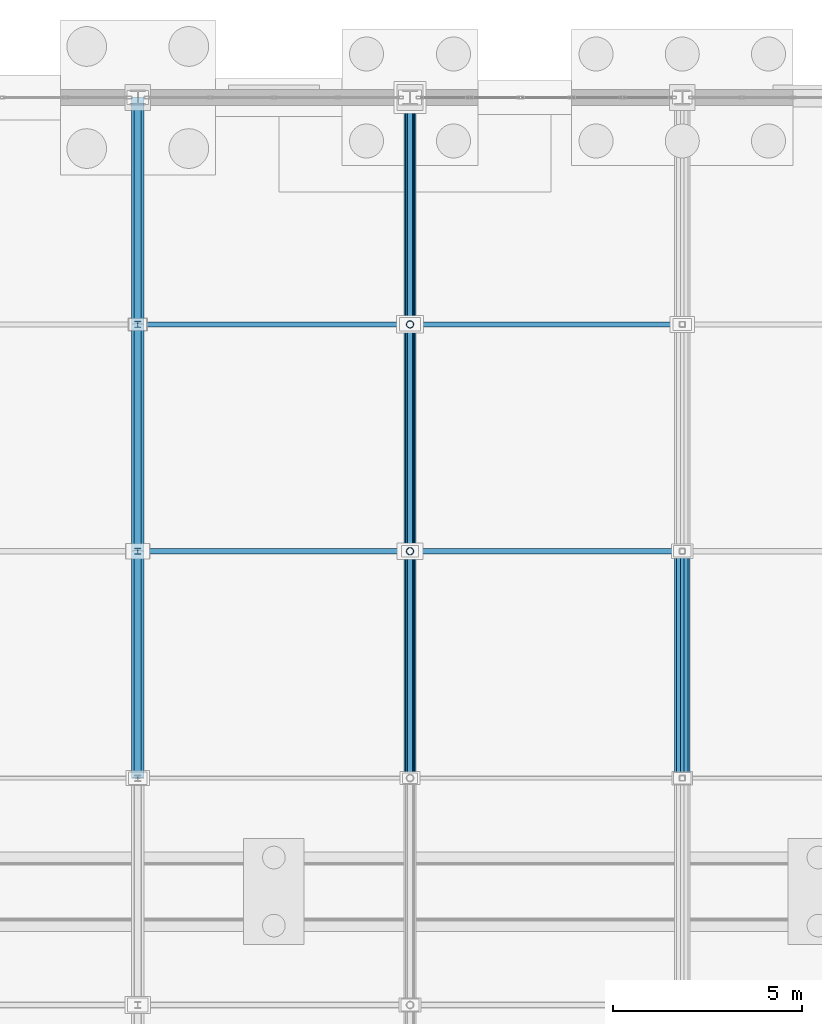
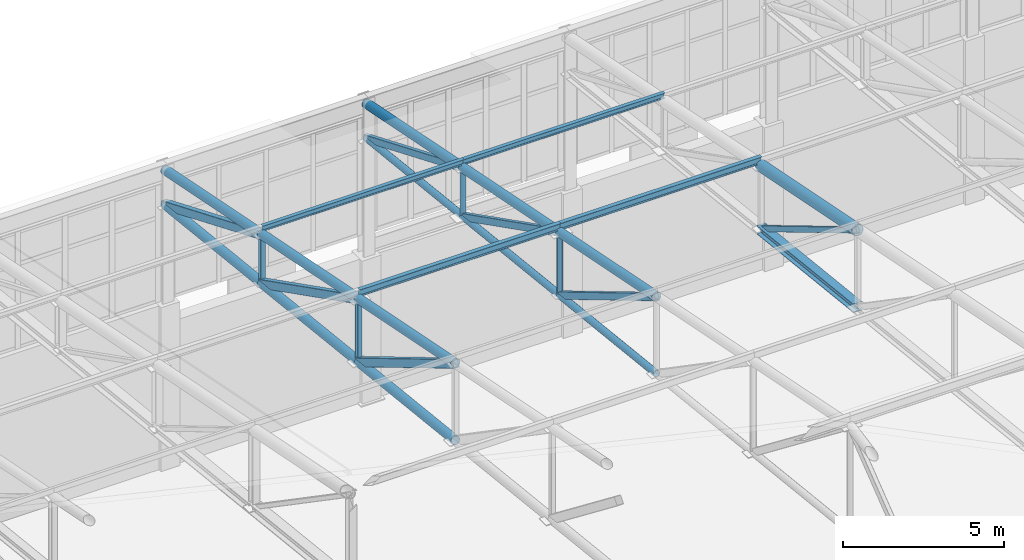
# One storey, part 205 of 293: 29 members.
"""IFC4 building model written with IfcOpenShell, lengths in metres."""

import ifcopenshell
import ifcopenshell.guid

model = None  # the IFC model being written
_history = None  # IfcOwnerHistory: only IFC2X3 demands one
_inside = {}  # id of a spatial element -> (the spatial element, [elements in it])
_under = {}  # id of a project, library or spatial element -> (it, [spatial elements below it])
_declared = {}  # id of a project -> (the project, [libraries it declares])
_typed = {}  # id of a type object -> (the type object, [elements of that type])
_made_of = {}  # id of a material, layer set ... -> (it, [elements and type objects made of it])


def new_model(schema):
    """Start an empty IFC model of exactly this schema.

    Asked for "IFC4X3", IfcOpenShell would pick the latest addendum, in which some entities
    have other attributes; the version numbers below select the first issue.
    IFC2X3 requires an IfcOwnerHistory on every rooted entity: one is made here for all.
    """
    global model, _history
    if schema == "IFC4X3":
        model = ifcopenshell.file(schema_version=(4, 3, 0, 0))
    else:
        model = ifcopenshell.file(schema=schema)
    _inside.clear()
    _under.clear()
    _declared.clear()
    _typed.clear()
    _made_of.clear()
    _history = None
    if model.schema == "IFC2X3":
        org = make("IfcOrganization", Name="unknown")
        user = make(
            "IfcPersonAndOrganization",
            ThePerson=make("IfcPerson", FamilyName="unknown"),
            TheOrganization=org,
        )
        app = make(
            "IfcApplication",
            ApplicationDeveloper=org,
            Version="unknown",
            ApplicationFullName="unknown",
            ApplicationIdentifier="unknown",
        )
        _history = make(
            "IfcOwnerHistory",
            OwningUser=user,
            OwningApplication=app,
            ChangeAction="ADDED",
            CreationDate=0,
        )
    return model


def make(cls, **values):
    """One entity of the class cls with the attributes given. An attribute that is None is left unset."""
    return model.create_entity(
        cls, **{name: value for name, value in values.items() if value is not None}
    )


def rooted(cls, **values):
    """An entity with a GlobalId (a new one), such as an element, a storey or a relation."""
    return make(cls, GlobalId=ifcopenshell.guid.new(), OwnerHistory=_history, **values)


def si_unit(unit_type, name, prefix=None):
    """IfcSIUnit, for example si_unit("LENGTHUNIT", "METRE", prefix="MILLI")."""
    return make("IfcSIUnit", UnitType=unit_type, Prefix=prefix, Name=name)


def assignment(units):
    """IfcUnitAssignment: the units of a project."""
    return None if units is None else make("IfcUnitAssignment", Units=units)


def point(xyz):
    """IfcCartesianPoint."""
    return None if xyz is None else make("IfcCartesianPoint", Coordinates=xyz)


def direction(xyz):
    """IfcDirection."""
    return None if xyz is None else make("IfcDirection", DirectionRatios=xyz)


def frame(location, z_axis=None, x_axis=None):
    """IfcAxis2Placement3D, a coordinate frame: its origin and axes. An axis left out is left unset."""
    return make(
        "IfcAxis2Placement3D",
        Location=point(location),
        Axis=direction(z_axis),
        RefDirection=direction(x_axis),
    )


def frame_2d(location, x_axis=None):
    """IfcAxis2Placement2D, a coordinate frame in the plane: its origin and x axis."""
    return make(
        "IfcAxis2Placement2D", Location=point(location), RefDirection=direction(x_axis)
    )


def origin():
    """The frame at (0, 0, 0) with its axes left unset."""
    return frame((0.0, 0.0, 0.0))


def origin_2d():
    """The frame at (0, 0) in the plane with its x axis left unset."""
    return frame_2d((0.0, 0.0))


def place(relative_to, where):
    """IfcLocalPlacement: puts the frame where relative to a parent placement (None: the world)."""
    return make(
        "IfcLocalPlacement", PlacementRelTo=relative_to, RelativePlacement=where
    )


def context(
    kind, dimensions, precision=None, world=None, true_north=None, identifier=None
):
    """IfcGeometricRepresentationContext, for example the 3D "Model" context."""
    return make(
        "IfcGeometricRepresentationContext",
        ContextIdentifier=identifier,
        ContextType=kind,
        CoordinateSpaceDimension=dimensions,
        Precision=precision,
        WorldCoordinateSystem=world,
        TrueNorth=true_north,
    )


def subcontext(parent, identifier, kind, view, scale=None):
    """IfcGeometricRepresentationSubContext, for example "Body" below "Model"."""
    return make(
        "IfcGeometricRepresentationSubContext",
        ContextIdentifier=identifier,
        ContextType=kind,
        ParentContext=parent,
        TargetScale=scale,
        TargetView=view,
    )


def project(units=None, contexts=None):
    """IfcProject with its units and contexts."""
    return rooted(
        "IfcProject",
        Name="project",
        RepresentationContexts=contexts,
        UnitsInContext=assignment(units),
    )


def spatial(cls, under=None, at=None, **own):
    """A site, building, storey or space (cls), placed at a placement, below another one or the project."""
    s = rooted(cls, ObjectPlacement=at, **own)
    if under is not None:
        _under.setdefault(under.id(), (under, []))[1].append(s)
    return s


def profile(cls, at=None, kind="AREA", **sizes):
    """A parametric profile (cls). Its sizes go by their IFC names, for example OverallWidth=200.0."""
    return make(cls, ProfileType=kind, Position=at, **sizes)


def hollow_rectangle(**sizes):
    """IfcRectangleHollowProfileDef."""
    return profile("IfcRectangleHollowProfileDef", **sizes)


def hollow_circle(**sizes):
    """IfcCircleHollowProfileDef."""
    return profile("IfcCircleHollowProfileDef", **sizes)


def i_section(**sizes):
    """IfcIShapeProfileDef."""
    return profile("IfcIShapeProfileDef", **sizes)


def extrude(swept, where, along, depth):
    """IfcExtrudedAreaSolid: the profile swept, set in the frame where, extruded along a direction by depth."""
    return make(
        "IfcExtrudedAreaSolid",
        SweptArea=swept,
        Position=where,
        ExtrudedDirection=direction(along),
        Depth=depth,
    )


def shape(context_of_items, identifier, shape_type, items):
    """IfcShapeRepresentation: the items that make up one representation, for example the "Body"."""
    return make(
        "IfcShapeRepresentation",
        ContextOfItems=context_of_items,
        RepresentationIdentifier=identifier,
        RepresentationType=shape_type,
        Items=items,
    )


def material(Name=None, Category=None):
    """IfcMaterial."""
    return make("IfcMaterial", Name=Name, Category=Category)


def material_profile(
    of_material, cross_section, Name=None, Category=None, Priority=None
):
    """IfcMaterialProfile: a cross section and its material."""
    return make(
        "IfcMaterialProfile",
        Name=Name,
        Material=of_material,
        Profile=cross_section,
        Priority=Priority,
        Category=Category,
    )


def profile_set(profiles, Name=None, composite=None):
    """IfcMaterialProfileSet."""
    return make(
        "IfcMaterialProfileSet",
        Name=Name,
        MaterialProfiles=profiles,
        CompositeProfile=composite,
    )


def made_of(thing, what):
    """Note that an element or type object is made of a material, layer set ...; save() writes the relation."""
    if what is not None:
        _made_of.setdefault(what.id(), (what, []))[1].append(thing)
    return thing


def type_object(cls, material=None, **own):
    """A type object (cls), such as IfcWallType, which elements share."""
    return made_of(rooted(cls, **own), material)


def element(
    cls,
    number,
    at=None,
    inside=None,
    cuts=None,
    type_object=None,
    material=None,
    context=None,
    identifier="Body",
    shape_type=None,
    held_by="IfcProductDefinitionShape",
    body=None,
    shapes=None,
    **own,
):
    """One element of the class cls, such as IfcWall. Its Tag is "e" and its number.

    at: its placement. inside: the storey or other place that contains it. cuts: it is an
    opening in that element (IfcRelVoidsElement). A single representation is given by context,
    identifier, shape_type and body (its items); several are given by shapes. held_by: the class
    of the entity that holds the representations. save() writes the other relations.
    """
    e = rooted(cls, Tag="e%d" % number, ObjectPlacement=at, **own)
    if body is not None:
        shapes = [shape(context, identifier, shape_type, body)]
    if shapes is not None:
        e.Representation = make(held_by, Representations=shapes)
    if inside is not None:
        _inside.setdefault(inside.id(), (inside, []))[1].append(e)
    if cuts is not None:
        rooted(
            "IfcRelVoidsElement", RelatingBuildingElement=cuts, RelatedOpeningElement=e
        )
    if type_object is not None:
        _typed.setdefault(type_object.id(), (type_object, []))[1].append(e)
    return made_of(e, material)


def aggregate(whole, parts):
    """IfcRelAggregates: a whole, such as a stair, and the parts it consists of."""
    return rooted("IfcRelAggregates", RelatingObject=whole, RelatedObjects=parts)


def save(model, path):
    """Write the relations noted so far, then the file.

    IfcRelAggregates (storeys below a building ...), IfcRelContainedInSpatialStructure (elements
    in a storey), IfcRelDefinesByType, IfcRelAssociatesMaterial and IfcRelDeclares: one each for
    every whole, place, type object, material and project.
    """
    for whole, parts in _under.values():
        aggregate(whole, parts)
    for where, things in _inside.values():
        rooted(
            "IfcRelContainedInSpatialStructure",
            RelatedElements=things,
            RelatingStructure=where,
        )
    for kind, things in _typed.values():
        rooted("IfcRelDefinesByType", RelatedObjects=things, RelatingType=kind)
    for what, things in _made_of.values():
        rooted("IfcRelAssociatesMaterial", RelatedObjects=things, RelatingMaterial=what)
    for by, libraries in _declared.values():
        rooted("IfcRelDeclares", RelatingContext=by, RelatedDefinitions=libraries)
    model.write(path)


model = new_model("IFC4")

# Units and contexts
model_context = context("Model", 3, precision=1e-05, world=origin(), true_north=direction((0.0, 1.0)))
body_context = subcontext(model_context, "Body", "Model", "MODEL_VIEW")
ifc_project = project(units=[si_unit("LENGTHUNIT", "METRE"), si_unit("AREAUNIT", "SQUARE_METRE"), si_unit("VOLUMEUNIT", "CUBIC_METRE"), si_unit("PLANEANGLEUNIT", "RADIAN"), si_unit("MASSUNIT", "GRAM", prefix="KILO")], contexts=[model_context])

# Site, building, storey
site_placement = place(None, origin())
site = spatial("IfcSite", under=ifc_project, at=site_placement, CompositionType="ELEMENT")
building_placement = place(site_placement, origin())
building = spatial("IfcBuilding", under=site, at=building_placement, Name="Kemerveld Promenade Tramway Depot", CompositionType="ELEMENT")
storey_placement = place(building_placement, origin())
storey = spatial("IfcBuildingStorey", under=building, at=storey_placement, Name="L00", CompositionType="ELEMENT", Elevation=0.0)

# Members
ifc_material = material(Name="Steel S355", Category="steel")
ifc_material_profile_1 = material_profile(ifc_material, hollow_rectangle(XDim=0.199951171875, YDim=0.300048828125, WallThickness=0.012451171875, InnerFilletRadius=0.00634765625, OuterFilletRadius=0.018798828125, at=origin_2d()), Name="300x200x12.5 RHS")
ifc_profile_set_1 = profile_set([ifc_material_profile_1], Name="Steel S355")
member_type_1 = type_object("IfcMemberType", Name="MB-M01", PredefinedType="BRACE", material=ifc_profile_set_1)
member_1_placement = place(storey_placement, frame((64.800048828125, 132.0, 11.1201171875), z_axis=(0.0, -0.8587636701, 0.512371895128), x_axis=(1.0, 0.0, 0.0)))
element("IfcMember", 1, at=member_1_placement, inside=storey, type_object=member_type_1, Name="TR-10-DG-08", PredefinedType="BRACE", context=body_context, shape_type="SweptSolid", body=[
    extrude(hollow_rectangle(XDim=0.199951171875, YDim=0.300048828125, WallThickness=0.012451171875, InnerFilletRadius=0.00634765625, OuterFilletRadius=0.018798828125, at=origin_2d()), origin(), (0.0, 0.0, 1.0), 6.98681640625),
])
member_2_placement = place(storey_placement, frame((64.800048828125, 138.0, 10.4599609375), z_axis=(0.0, -0.892033434612, 0.451969414379), x_axis=(1.0, 0.0, 0.0)))
element("IfcMember", 2, at=member_2_placement, inside=storey, type_object=member_type_1, Name="TR-10-DG-09", PredefinedType="BRACE", context=body_context, shape_type="SweptSolid", body=[
    extrude(hollow_rectangle(XDim=0.199951171875, YDim=0.300048828125, WallThickness=0.012451171875, InnerFilletRadius=0.00634765625, OuterFilletRadius=0.018798828125, at=origin_2d()), origin(), (0.0, 0.0, 1.0), 6.726318359375),
])
member_3_placement = place(storey_placement, frame((64.800048828125, 144.0, 9.800048828125), z_axis=(0.0, -0.923076923077, 0.384615384615), x_axis=(1.0, 0.0, 0.0)))
element("IfcMember", 3, at=member_3_placement, inside=storey, type_object=member_type_1, Name="TR-10-DG-10", PredefinedType="BRACE", context=body_context, shape_type="SweptSolid", body=[
    extrude(hollow_rectangle(XDim=0.199951171875, YDim=0.300048828125, WallThickness=0.012451171875, InnerFilletRadius=0.00634765625, OuterFilletRadius=0.018798828125, at=origin_2d()), origin(), (0.0, 0.0, 1.0), 6.5),
])
ifc_material_profile_2 = material_profile(ifc_material, hollow_rectangle(XDim=0.14990234375, YDim=0.25, WallThickness=0.010009765625, InnerFilletRadius=0.0048828125, OuterFilletRadius=0.014892578125, at=origin_2d()), Name="250x150x10.0 RHS")
ifc_profile_set_2 = profile_set([ifc_material_profile_2], Name="Steel S355")
member_type_2 = type_object("IfcMemberType", Name="MB-M02", PredefinedType="BRACE", material=ifc_profile_set_2)
member_4_placement = place(storey_placement, frame((72.0, 132.0, 11.1201171875), z_axis=(0.0, -0.8587636701, 0.512371895128), x_axis=(1.0, 0.0, 0.0)))
element("IfcMember", 4, at=member_4_placement, inside=storey, type_object=member_type_2, Name="TR-11-DG-08", PredefinedType="BRACE", context=body_context, shape_type="SweptSolid", body=[
    extrude(hollow_rectangle(XDim=0.14990234375, YDim=0.25, WallThickness=0.010009765625, InnerFilletRadius=0.0048828125, OuterFilletRadius=0.014892578125, at=origin_2d()), origin(), (0.0, 0.0, 1.0), 6.98681640625),
])
member_5_placement = place(storey_placement, frame((72.0, 138.0, 10.4599609375), z_axis=(0.0, -0.892033434612, 0.451969414379), x_axis=(1.0, 0.0, 0.0)))
element("IfcMember", 5, at=member_5_placement, inside=storey, type_object=member_type_2, Name="TR-11-DG-09", PredefinedType="BRACE", context=body_context, shape_type="SweptSolid", body=[
    extrude(hollow_rectangle(XDim=0.14990234375, YDim=0.25, WallThickness=0.010009765625, InnerFilletRadius=0.0048828125, OuterFilletRadius=0.014892578125, at=origin_2d()), origin(), (0.0, 0.0, 1.0), 6.726318359375),
])
member_6_placement = place(storey_placement, frame((72.0, 144.0, 9.800048828125), z_axis=(0.0, -0.923076923077, 0.384615384615), x_axis=(1.0, 0.0, 0.0)))
element("IfcMember", 6, at=member_6_placement, inside=storey, type_object=member_type_2, Name="TR-11-DG-10", PredefinedType="BRACE", context=body_context, shape_type="SweptSolid", body=[
    extrude(hollow_rectangle(XDim=0.14990234375, YDim=0.25, WallThickness=0.010009765625, InnerFilletRadius=0.0048828125, OuterFilletRadius=0.014892578125, at=origin_2d()), origin(), (0.0, 0.0, 1.0), 6.5),
])
ifc_material_profile_3 = material_profile(ifc_material, hollow_rectangle(XDim=0.10009765625, YDim=0.199951171875, WallThickness=0.008056640625, InnerFilletRadius=0.00390625, OuterFilletRadius=0.011962890625, at=origin_2d()), Name="200x100x8.0 RHS")
ifc_profile_set_3 = profile_set([ifc_material_profile_3], Name="Steel S355")
member_type_3 = type_object("IfcMemberType", Name="MB-M03", PredefinedType="BRACE", material=ifc_profile_set_3)
member_7_placement = place(storey_placement, frame((79.199951171875, 132.0, 11.1201171875), z_axis=(0.0, -0.8587636701, 0.512371895128), x_axis=(1.0, 0.0, 0.0)))
element("IfcMember", 7, at=member_7_placement, inside=storey, type_object=member_type_3, Name="TR-12-DG-08", PredefinedType="BRACE", context=body_context, shape_type="SweptSolid", body=[
    extrude(hollow_rectangle(XDim=0.10009765625, YDim=0.199951171875, WallThickness=0.008056640625, InnerFilletRadius=0.00390625, OuterFilletRadius=0.011962890625, at=origin_2d()), origin(), (0.0, 0.0, 1.0), 6.98681640625),
])
ifc_material_profile_4 = material_profile(ifc_material, i_section(OverallWidth=0.154296875, OverallDepth=0.161865234375, WebThickness=0.008056640625, FlangeThickness=0.011474609375, FilletRadius=0.007568359375, at=origin_2d()), Name="152x152x37 UC")
ifc_profile_set_4 = profile_set([ifc_material_profile_4], Name="Steel S355")
member_type_4 = type_object("IfcMemberType", Name="MB-M05", PredefinedType="POST", material=ifc_profile_set_4)
member_8_placement = place(storey_placement, frame((64.800048828125, 132.0, 11.1201171875), z_axis=(0.0, 0.0, 1.0), x_axis=(1.0, 0.0, 0.0)))
element("IfcMember", 8, at=member_8_placement, inside=storey, type_object=member_type_4, Name="TR-10-VT-08", PredefinedType="POST", context=body_context, shape_type="SweptSolid", body=[
    extrude(i_section(OverallWidth=0.154296875, OverallDepth=0.161865234375, WebThickness=0.008056640625, FlangeThickness=0.011474609375, FilletRadius=0.007568359375, at=origin_2d()), origin(), (0.0, 0.0, 1.0), 2.3798828125),
])
member_9_placement = place(storey_placement, frame((64.800048828125, 138.0, 10.4599609375), z_axis=(0.0, 0.0, 1.0), x_axis=(1.0, 0.0, 0.0)))
element("IfcMember", 9, at=member_9_placement, inside=storey, type_object=member_type_4, Name="TR-10-VT-09", PredefinedType="POST", context=body_context, shape_type="SweptSolid", body=[
    extrude(i_section(OverallWidth=0.154296875, OverallDepth=0.161865234375, WebThickness=0.008056640625, FlangeThickness=0.011474609375, FilletRadius=0.007568359375, at=origin_2d()), origin(), (0.0, 0.0, 1.0), 1.840087890625),
])
ifc_material_profile_5 = material_profile(ifc_material, i_section(OverallWidth=0.146484375, OverallDepth=0.256103515625, WebThickness=0.00634765625, FlangeThickness=0.010986328125, FilletRadius=0.007568359375, at=origin_2d()), Name="254x146x37 UB")
ifc_profile_set_5 = profile_set([ifc_material_profile_5], Name="Steel S355")
member_type_5 = type_object("IfcMemberType", Name="MB-PR3", PredefinedType="PURLIN", material=ifc_profile_set_5)
for number, where, z_axis, x_axis, name in (
    (10, (64.800048828125, 132.0, 13.7451171875), (1.0, 0.0, 0.0), (0.0, 1.0, 0.0), "PUR-V1-08-10"),
    (11, (72.0, 132.0, 13.7451171875), (1.0, 0.0, 0.0), (0.0, 1.0, 0.0), "PUR-V1-08-11"),
):
    element("IfcMember", number, at=place(storey_placement, frame(where, z_axis=z_axis, x_axis=x_axis)), inside=storey, type_object=member_type_5, Name=name, PredefinedType="PURLIN", context=body_context, shape_type="SweptSolid", body=[
        extrude(i_section(OverallWidth=0.146484375, OverallDepth=0.256103515625, WebThickness=0.00634765625, FlangeThickness=0.010986328125, FilletRadius=0.007568359375, at=origin_2d()), origin(), (0.0, 0.0, 1.0), 7.199951171875),
    ])
ifc_material_profile_6 = material_profile(ifc_material, i_section(OverallWidth=0.13330078125, OverallDepth=0.203125, WebThickness=0.005615234375, FlangeThickness=0.0078125, FilletRadius=0.007568359375, at=origin_2d()), Name="203x133x25 UB")
ifc_profile_set_6 = profile_set([ifc_material_profile_6], Name="Steel S355")
member_type_6 = type_object("IfcMemberType", Name="MB-PR4", PredefinedType="PURLIN", material=ifc_profile_set_6)
for number, where, z_axis, x_axis, name in (
    (12, (64.800048828125, 138.0, 12.544921875), (1.0, 0.0, 0.0), (0.0, 1.0, 0.0), "PUR-V1-09-10"),
    (13, (72.0, 138.0, 12.544921875), (1.0, 0.0, 0.0), (0.0, 1.0, 0.0), "PUR-V1-09-11"),
):
    element("IfcMember", number, at=place(storey_placement, frame(where, z_axis=z_axis, x_axis=x_axis)), inside=storey, type_object=member_type_6, Name=name, PredefinedType="PURLIN", context=body_context, shape_type="SweptSolid", body=[
        extrude(i_section(OverallWidth=0.13330078125, OverallDepth=0.203125, WebThickness=0.005615234375, FlangeThickness=0.0078125, FilletRadius=0.007568359375, at=origin_2d()), origin(), (0.0, 0.0, 1.0), 7.199951171875),
    ])
ifc_material_profile_7 = material_profile(ifc_material, hollow_circle(Radius=0.203125, WallThickness=0.01611328125, at=origin_2d()), Name="406.4x16.0 CHS")
ifc_profile_set_7 = profile_set([ifc_material_profile_7], Name="Steel S355")
member_type_7 = type_object("IfcMemberType", Name="MB-TC1", PredefinedType="CHORD", material=ifc_profile_set_7)
member_10_placement = place(storey_placement, frame((79.199951171875, 126.0, 14.699951171875), z_axis=(0.0, 0.980582210276, -0.196108462057), x_axis=(-1.0, 0.0, 0.0)))
element("IfcMember", 14, at=member_10_placement, inside=storey, type_object=member_type_7, Name="TR-12-TC-08", PredefinedType="CHORD", context=body_context, shape_type="SweptSolid", body=[
    extrude(hollow_circle(Radius=0.203125, WallThickness=0.01611328125, at=origin_2d()), origin(), (0.0, 0.0, 1.0), 6.118896484375),
])
ifc_material_profile_8 = material_profile(ifc_material, hollow_circle(Radius=0.161865234375, WallThickness=0.012451171875, at=origin_2d()), Name="323.9x12.5 CHS")
ifc_profile_set_8 = profile_set([ifc_material_profile_8], Name="Steel S355")
member_type_8 = type_object("IfcMemberType", Name="MB-TC2", PredefinedType="CHORD", material=ifc_profile_set_8)
member_11_placement = place(storey_placement, frame((64.800048828125, 126.0, 14.699951171875), z_axis=(0.0, 0.980582210276, -0.196108462057), x_axis=(-1.0, 0.0, 0.0)))
element("IfcMember", 15, at=member_11_placement, inside=storey, type_object=member_type_8, Name="TR-10-TC-08", PredefinedType="CHORD", context=body_context, shape_type="SweptSolid", body=[
    extrude(hollow_circle(Radius=0.161865234375, WallThickness=0.012451171875, at=origin_2d()), origin(), (0.0, 0.0, 1.0), 6.118896484375),
])
member_12_placement = place(storey_placement, frame((64.800048828125, 126.0, 11.780029296875), z_axis=(0.0, 0.994005938353, -0.109326092585), x_axis=(-1.0, 0.0, 0.0)))
element("IfcMember", 16, at=member_12_placement, inside=storey, type_object=member_type_8, Name="TR-10-BC-08", PredefinedType="CHORD", context=body_context, shape_type="SweptSolid", body=[
    extrude(hollow_circle(Radius=0.161865234375, WallThickness=0.012451171875, at=origin_2d()), origin(), (0.0, 0.0, 1.0), 6.0361328125),
])
member_13_placement = place(storey_placement, frame((64.800048828125, 132.0, 13.5), z_axis=(0.0, 0.980582210276, -0.196108462057), x_axis=(-1.0, 0.0, 0.0)))
element("IfcMember", 17, at=member_13_placement, inside=storey, type_object=member_type_8, Name="TR-10-TC-09", PredefinedType="CHORD", context=body_context, shape_type="SweptSolid", body=[
    extrude(hollow_circle(Radius=0.161865234375, WallThickness=0.012451171875, at=origin_2d()), origin(), (0.0, 0.0, 1.0), 6.118896484375),
])
member_14_placement = place(storey_placement, frame((64.800048828125, 132.0, 11.1201171875), z_axis=(0.0, 0.994001542248, -0.109366055104), x_axis=(-1.0, 0.0, 0.0)))
element("IfcMember", 18, at=member_14_placement, inside=storey, type_object=member_type_8, Name="TR-10-BC-09", PredefinedType="CHORD", context=body_context, shape_type="SweptSolid", body=[
    extrude(hollow_circle(Radius=0.161865234375, WallThickness=0.012451171875, at=origin_2d()), origin(), (0.0, 0.0, 1.0), 6.0361328125),
])
member_15_placement = place(storey_placement, frame((64.800048828125, 138.0, 12.300048828125), z_axis=(0.0, 0.980582210276, -0.196108462057), x_axis=(-1.0, 0.0, 0.0)))
element("IfcMember", 19, at=member_15_placement, inside=storey, type_object=member_type_8, Name="TR-10-TC-10", PredefinedType="CHORD", context=body_context, shape_type="SweptSolid", body=[
    extrude(hollow_circle(Radius=0.161865234375, WallThickness=0.012451171875, at=origin_2d()), origin(), (0.0, 0.0, 1.0), 6.118896484375),
])
member_16_placement = place(storey_placement, frame((64.800048828125, 138.0, 10.4599609375), z_axis=(0.0, 0.994005938353, -0.109326092585), x_axis=(-1.0, 0.0, 0.0)))
element("IfcMember", 20, at=member_16_placement, inside=storey, type_object=member_type_8, Name="TR-10-BC-10", PredefinedType="CHORD", context=body_context, shape_type="SweptSolid", body=[
    extrude(hollow_circle(Radius=0.161865234375, WallThickness=0.012451171875, at=origin_2d()), origin(), (0.0, 0.0, 1.0), 6.0361328125),
])
for number, where, z_axis, x_axis, name in (
    (21, (72.0, 126.0, 14.699951171875), (0.0, 0.980582210276, -0.196108462057), (-1.0, 0.0, 0.0), "TR-11-TC-08"),
    (22, (72.0, 132.0, 13.5), (0.0, 0.980582210276, -0.196108462057), (-1.0, 0.0, 0.0), "TR-11-TC-09"),
    (23, (72.0, 138.0, 12.300048828125), (0.0, 0.980582210276, -0.196108462057), (-1.0, 0.0, 0.0), "TR-11-TC-10"),
):
    element("IfcMember", number, at=place(storey_placement, frame(where, z_axis=z_axis, x_axis=x_axis)), inside=storey, type_object=member_type_8, Name=name, PredefinedType="CHORD", context=body_context, shape_type="SweptSolid", body=[
        extrude(hollow_circle(Radius=0.161865234375, WallThickness=0.012451171875, at=origin_2d()), origin(), (0.0, 0.0, 1.0), 6.118896484375),
    ])
ifc_material_profile_9 = material_profile(ifc_material, hollow_circle(Radius=0.122314453125, WallThickness=0.010009765625, at=origin_2d()), Name="244.5x10.0 CHS")
ifc_profile_set_9 = profile_set([ifc_material_profile_9], Name="Steel S355")
member_type_9 = type_object("IfcMemberType", Name="MB-TC3", PredefinedType="CHORD", material=ifc_profile_set_9)
for number, where, z_axis, x_axis, name in (
    (24, (72.0, 126.0, 11.780029296875), (0.0, 0.994005938353, -0.109326092585), (-1.0, 0.0, 0.0), "TR-11-BC-08"),
    (25, (72.0, 132.0, 11.1201171875), (0.0, 0.994001542248, -0.109366055104), (-1.0, 0.0, 0.0), "TR-11-BC-09"),
    (26, (72.0, 138.0, 10.4599609375), (0.0, 0.994005938353, -0.109326092585), (-1.0, 0.0, 0.0), "TR-11-BC-10"),
):
    element("IfcMember", number, at=place(storey_placement, frame(where, z_axis=z_axis, x_axis=x_axis)), inside=storey, type_object=member_type_9, Name=name, PredefinedType="CHORD", context=body_context, shape_type="SweptSolid", body=[
        extrude(hollow_circle(Radius=0.122314453125, WallThickness=0.010009765625, at=origin_2d()), origin(), (0.0, 0.0, 1.0), 6.0361328125),
    ])
ifc_material_profile_10 = material_profile(ifc_material, i_section(OverallWidth=0.307373046875, OverallDepth=0.314453125, WebThickness=0.011962890625, FlangeThickness=0.018798828125, FilletRadius=0.01513671875, at=origin_2d()), Name="305x305x118 UC")
ifc_profile_set_10 = profile_set([ifc_material_profile_10], Name="Steel S355")
member_type_10 = type_object("IfcMemberType", Name="MB-TC4", PredefinedType="CHORD", material=ifc_profile_set_10)
member_17_placement = place(storey_placement, frame((79.199951171875, 126.0, 11.780029296875), z_axis=(0.0, 0.994005938353, -0.109326092585), x_axis=(-1.0, 0.0, 0.0)))
element("IfcMember", 27, at=member_17_placement, inside=storey, type_object=member_type_10, Name="TR-12-BC-08", PredefinedType="CHORD", context=body_context, shape_type="SweptSolid", body=[
    extrude(i_section(OverallWidth=0.307373046875, OverallDepth=0.314453125, WebThickness=0.011962890625, FlangeThickness=0.018798828125, FilletRadius=0.01513671875, at=origin_2d()), origin(), (0.0, 0.0, 1.0), 6.0361328125),
])
ifc_material_profile_11 = material_profile(ifc_material, hollow_circle(Radius=0.096923828125, WallThickness=0.008056640625, at=origin_2d()), Name="193.7x8.0 CHS")
ifc_profile_set_11 = profile_set([ifc_material_profile_11], Name="Steel S355")
member_type_11 = type_object("IfcMemberType", Name="MB-TP1", PredefinedType="POST", material=ifc_profile_set_11)
member_18_placement = place(storey_placement, frame((72.0, 132.0, 11.1201171875), z_axis=(0.0, 0.0, 1.0), x_axis=(1.0, 0.0, 0.0)))
element("IfcMember", 28, at=member_18_placement, inside=storey, type_object=member_type_11, Name="TR-11-VT-08", PredefinedType="POST", context=body_context, shape_type="SweptSolid", body=[
    extrude(hollow_circle(Radius=0.096923828125, WallThickness=0.008056640625, at=origin_2d()), origin(), (0.0, 0.0, 1.0), 2.3798828125),
])
member_19_placement = place(storey_placement, frame((72.0, 138.0, 10.4599609375), z_axis=(0.0, 0.0, 1.0), x_axis=(1.0, 0.0, 0.0)))
element("IfcMember", 29, at=member_19_placement, inside=storey, type_object=member_type_11, Name="TR-11-VT-09", PredefinedType="POST", context=body_context, shape_type="SweptSolid", body=[
    extrude(hollow_circle(Radius=0.096923828125, WallThickness=0.008056640625, at=origin_2d()), origin(), (0.0, 0.0, 1.0), 1.840087890625),
])

save(model, "model.ifc")
